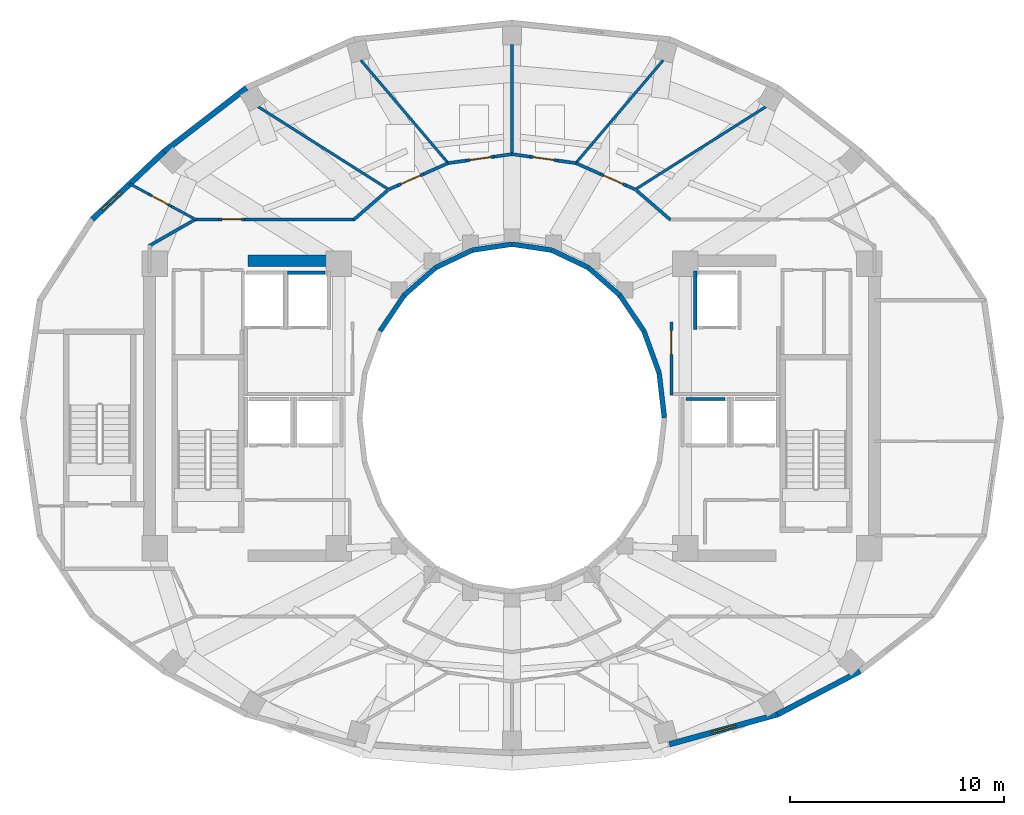
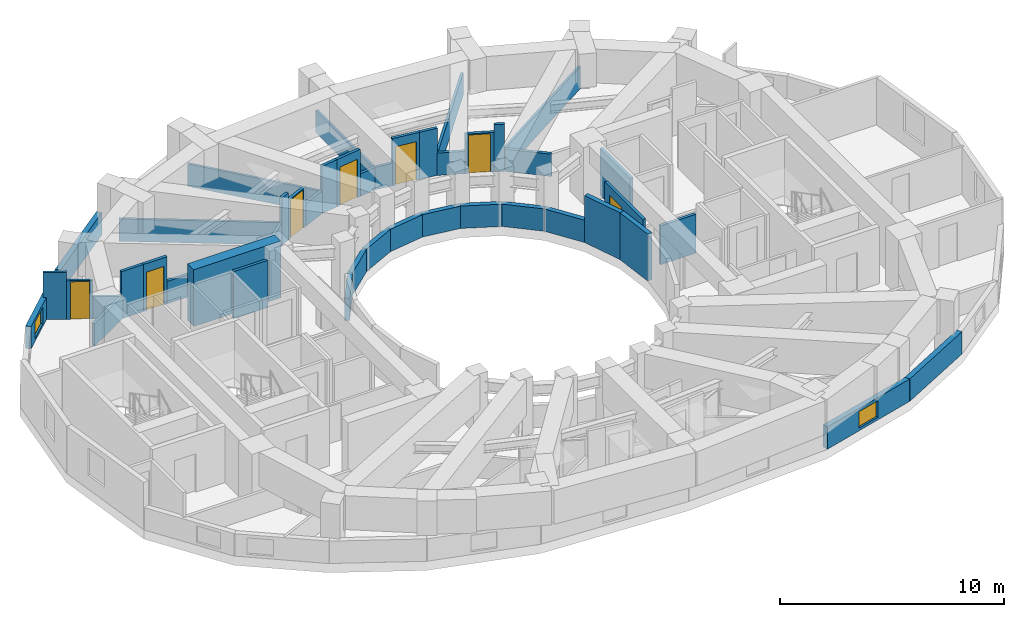
# One storey, part 5 of 9: 45 walls, 7 doors, 2 windows, 9 openings.
"""IFC4 building model written with IfcOpenShell, lengths in metres."""

from ifc_helpers import new_model, si_unit, direction, frame, frame_2d, origin, place, context, subcontext, project, spatial, rectangle, extrude, material, layer, layer_set, type_object, element, fill, save


model = new_model("IFC4")

# Units and contexts
model_context = context("Model", 3, precision=1e-05, world=origin(), true_north=direction((0.0, 1.0)))
body_context = subcontext(model_context, "Body", "Model", "MODEL_VIEW")
ifc_project = project(units=[si_unit("LENGTHUNIT", "METRE"), si_unit("AREAUNIT", "SQUARE_METRE"), si_unit("VOLUMEUNIT", "CUBIC_METRE"), si_unit("PLANEANGLEUNIT", "RADIAN"), si_unit("MASSUNIT", "GRAM", prefix="KILO")], contexts=[model_context])

# Site, building, storey
site_placement = place(None, origin())
site = spatial("IfcSite", under=ifc_project, at=site_placement, CompositionType="ELEMENT")
building_placement = place(site_placement, origin())
building = spatial("IfcBuilding", under=site, at=building_placement, Name="Solvane Sanctuary Tower", CompositionType="ELEMENT")
storey_placement = place(building_placement, frame((0.0, 0.0, 190.10009765625)))
storey = spatial("IfcBuildingStorey", under=building, at=storey_placement, Name="L58", CompositionType="ELEMENT", Elevation=190.10009765625)

# Wall
ifc_material_1 = material(Name="Concrete C50/60", Category="concrete")
ifc_layer_1 = layer(ifc_material_1, 0.550048828125, Name="Concrete C50/60")
ifc_layer_set_1 = layer_set([ifc_layer_1], Name="Concrete C50/60")
wall_type_1 = type_object("IfcWallType", Name="Wall W-CORE-550", PredefinedType="SHEAR", material=ifc_layer_set_1)
wall_1_placement = place(storey_placement, frame((19.64990234375, 30.35009765625, 0.0), z_axis=(0.0, 0.0, 1.0), x_axis=(1.0, 0.0, 0.0)))
element("IfcWall", 1, at=wall_1_placement, inside=storey, type_object=wall_type_1, Name="L58 Core Shear Wall WC-N", PredefinedType="SHEAR", context=body_context, shape_type="SweptSolid", body=[
    extrude(rectangle(XDim=4.5, YDim=0.550048828125, at=frame_2d((2.25, 0.0))), origin(), (0.0, 0.0, 1.0), 3.099853515625),
])

# Wall, opening, door
ifc_material_2 = material(Name="Acoustic Gypsum Partition Board")
ifc_layer_2 = layer(ifc_material_2, 0.14990234375, Name="Acoustic Gypsum Partition Board")
ifc_layer_set_2 = layer_set([ifc_layer_2], Name="Acoustic Gypsum Partition Board")
wall_type_2 = type_object("IfcWallType", Name="Wall W-CORR-150", PredefinedType="PARTITIONING", material=ifc_layer_set_2)
wall_2_placement = place(storey_placement, frame((39.449951171875, 24.080078125, 0.0), z_axis=(0.0, 0.0, 1.0), x_axis=(0.0, 1.0, 0.0)))
wall_2 = element("IfcWall", 2, at=wall_2_placement, inside=storey, type_object=wall_type_2, Name="L58 East Firefighting Lobby West Wall", PredefinedType="PARTITIONING", context=body_context, shape_type="SweptSolid", body=[
    extrude(rectangle(XDim=3.39990234375, YDim=0.14990234375, at=frame_2d((1.699951171875, 0.0))), origin(), (0.0, 0.0, 1.0), 2.574951171875),
])
opening_1_placement = place(wall_2_placement, frame((1.893798828125, 0.0, 0.0)))
opening_1 = element("IfcOpeningElement", 3, at=opening_1_placement, cuts=wall_2, Name="Opening D-L58-05", PredefinedType="OPENING", context=body_context, shape_type="SweptSolid", body=[
    extrude(rectangle(XDim=1.10009765625, YDim=2.10009765625, at=frame_2d((0.550048828125, 1.050048828125))), frame((0.0, 0.0849609375, 0.0), z_axis=(0.0, -1.0, 0.0), x_axis=(1.0, 0.0, 0.0)), (0.0, 0.0, 1.0), 0.169921875),
])
ifc_material_3 = material(Name="Architectural Stainless Steel 316", Category="steel")
door_type_1 = type_object("IfcDoorType", Name="Door D-FFL", OperationType="NOTDEFINED", PredefinedType="DOOR", material=ifc_material_3)
door_1_placement = place(opening_1_placement, origin())
door_1 = element("IfcDoor", 4, at=door_1_placement, inside=storey, type_object=door_type_1, Name="L58 East Firefighting Lobby Fire Door", OperationType="SINGLE_SWING_RIGHT", OverallHeight=2.10009765625, OverallWidth=1.10009765625, PredefinedType="DOOR", context=body_context, shape_type="SweptSolid", body=[
    extrude(rectangle(XDim=1.10009765625, YDim=2.10009765625, at=frame_2d((0.550048828125, 1.050048828125))), frame((0.0, 0.02490234375, 0.0), z_axis=(0.0, -1.0, 0.0), x_axis=(1.0, 0.0, 0.0)), (0.0, 0.0, 1.0), 0.050048828125),
])
fill(opening_1, door_1)

# Walls
for number, where, z_axis, x_axis, name in (
    (5, (37.806640625, 33.64208984375, 0.0), (0.0, 0.0, 1.0), (0.756055312247, -0.654507727092, 0.0), "L58 NE Corner Throat Wall"),
    (6, (26.193359375, 33.64208984375, 0.0), (0.0, 0.0, 1.0), (-0.756055312247, -0.654507727092, 0.0), "L58 NW Corner Throat Wall"),
):
    element("IfcWall", number, at=place(storey_placement, frame(where, z_axis=z_axis, x_axis=x_axis)), inside=storey, type_object=wall_type_2, Name=name, PredefinedType="PARTITIONING", context=body_context, shape_type="SweptSolid", body=[
        extrude(rectangle(XDim=2.11083984375, YDim=0.14990234375, at=frame_2d((1.055419921875, 0.0))), origin(), (0.0, 0.0, 1.0), 1.219970703125),
    ])
wall_3_placement = place(storey_placement, frame((17.14990234375, 32.280029296875, 0.0), z_axis=(0.0, 0.0, 1.0), x_axis=(1.0, 0.0, 0.0)))
element("IfcWall", 7, at=wall_3_placement, inside=storey, type_object=wall_type_2, Name="L58 NW Corner Corridor Wall", PredefinedType="PARTITIONING", context=body_context, shape_type="SweptSolid", body=[
    extrude(rectangle(XDim=1.14013671875, YDim=0.14990234375, at=frame_2d((0.570068359375, 0.0))), origin(), (0.0, 0.0, 1.0), 2.574951171875),
])

# Wall, opening, door
wall_4_placement = place(storey_placement, frame((18.2900390625, 32.280029296875, 0.0), z_axis=(0.0, 0.0, 1.0), x_axis=(1.0, 0.0, 0.0)))
wall_4 = element("IfcWall", 8, at=wall_4_placement, inside=storey, type_object=wall_type_2, Name="L58 NW Corner Corridor Wall", PredefinedType="PARTITIONING", context=body_context, shape_type="SweptSolid", body=[
    extrude(rectangle(XDim=1.219970703125, YDim=0.14990234375, at=frame_2d((0.60986328125, 0.0))), origin(), (0.0, 0.0, 1.0), 2.574951171875),
])
opening_2_placement = place(wall_4_placement, frame((0.159912109375, 0.0, 0.0)))
opening_2 = element("IfcOpeningElement", 9, at=opening_2_placement, cuts=wall_4, Name="Opening D-L58-17", PredefinedType="OPENING", context=body_context, shape_type="SweptSolid", body=[
    extrude(rectangle(XDim=0.89990234375, YDim=2.10009765625, at=frame_2d((0.449951171875, 1.050048828125))), frame((0.0, 0.0849609375, 0.0), z_axis=(0.0, -1.0, 0.0), x_axis=(1.0, 0.0, 0.0)), (0.0, 0.0, 1.0), 0.169921875),
])
ifc_material_4 = material(Name="Engineered Tropical Hardwood", Category="wood")
door_type_2 = type_object("IfcDoorType", Name="Door D-WET-900", OperationType="NOTDEFINED", PredefinedType="DOOR", material=ifc_material_4)
door_2_placement = place(opening_2_placement, origin())
door_2 = element("IfcDoor", 10, at=door_2_placement, inside=storey, type_object=door_type_2, Name="L58 NW Corner Salon Door", OperationType="SINGLE_SWING_RIGHT", OverallHeight=2.10009765625, OverallWidth=0.89990234375, PredefinedType="DOOR", context=body_context, shape_type="SweptSolid", body=[
    extrude(rectangle(XDim=0.89990234375, YDim=2.10009765625, at=frame_2d((0.449951171875, 1.050048828125))), frame((0.0, 0.02490234375, 0.0), z_axis=(0.0, -1.0, 0.0), x_axis=(1.0, 0.0, 0.0)), (0.0, 0.0, 1.0), 0.050048828125),
])
fill(opening_2, door_2)

# Walls
wall_5_placement = place(storey_placement, frame((19.510009765625, 32.280029296875, 0.0), z_axis=(0.0, 0.0, 1.0), x_axis=(1.0, 0.0, 0.0)))
element("IfcWall", 11, at=wall_5_placement, inside=storey, type_object=wall_type_2, Name="L58 NW Corner Corridor Wall", PredefinedType="PARTITIONING", context=body_context, shape_type="SweptSolid", body=[
    extrude(rectangle(XDim=5.159912109375, YDim=0.14990234375, at=frame_2d((2.580078125, 0.0))), origin(), (0.0, 0.0, 1.0), 1.219970703125),
])
wall_6_placement = place(storey_placement, frame((17.243408203125, 32.3046875, 0.0), z_axis=(0.0, 0.0, 1.0), x_axis=(-0.867991349648, -0.496579315857, 0.0)))
element("IfcWall", 12, at=wall_6_placement, inside=storey, type_object=wall_type_2, Name="L58 NW Corner Wing Wall", PredefinedType="PARTITIONING", context=body_context, shape_type="SweptSolid", body=[
    extrude(rectangle(XDim=2.56689453125, YDim=0.14990234375, at=frame_2d((1.283447265625, 0.0))), origin(), (0.0, 0.0, 1.0), 1.219970703125),
])
wall_7_placement = place(storey_placement, frame((37.77197265625, 33.673828125, 0.0), z_axis=(0.0, 0.0, 1.0), x_axis=(-0.914387769504, 0.404839482983, 0.0)))
element("IfcWall", 13, at=wall_7_placement, inside=storey, type_object=wall_type_2, Name="L58 Unit Corridor Wall N1", PredefinedType="PARTITIONING", context=body_context, shape_type="SweptSolid", body=[
    extrude(rectangle(XDim=0.470947265625, YDim=0.14990234375, at=frame_2d((0.2353515625, 0.0))), origin(), (0.0, 0.0, 1.0), 2.574951171875),
])

# Wall, opening, door
wall_8_placement = place(storey_placement, frame((37.34130859375, 33.864501953125, 0.0), z_axis=(0.0, 0.0, 1.0), x_axis=(-0.914314172667, 0.405005671145, 0.0)))
wall_8 = element("IfcWall", 14, at=wall_8_placement, inside=storey, type_object=wall_type_2, Name="L58 Unit Corridor Wall N1", PredefinedType="PARTITIONING", context=body_context, shape_type="SweptSolid", body=[
    extrude(rectangle(XDim=1.320068359375, YDim=0.14990234375, at=frame_2d((0.66015625, 0.0))), origin(), (0.0, 0.0, 1.0), 2.159912109375),
])
opening_3_placement = place(wall_8_placement, frame((0.159912109375, 0.0, 0.0)))
opening_3 = element("IfcOpeningElement", 15, at=opening_3_placement, cuts=wall_8, Name="Opening D-L58-23", PredefinedType="OPENING", context=body_context, shape_type="SweptSolid", body=[
    extrude(rectangle(XDim=1.0, YDim=2.10009765625, at=frame_2d((0.5, 1.050048828125))), frame((0.0, 0.0849609375, 0.0), z_axis=(0.0, -1.0, 0.0), x_axis=(1.0, 0.0, 0.0)), (0.0, 0.0, 1.0), 0.169921875),
])
door_type_3 = type_object("IfcDoorType", Name="Door D-UNIT", OperationType="NOTDEFINED", PredefinedType="DOOR", material=ifc_material_4)
door_3_placement = place(opening_3_placement, origin())
door_3 = element("IfcDoor", 16, at=door_3_placement, inside=storey, type_object=door_type_3, Name="L58 Unit Entrance Door N1", OperationType="SINGLE_SWING_RIGHT", OverallHeight=2.10009765625, OverallWidth=1.0, PredefinedType="DOOR", context=body_context, shape_type="SweptSolid", body=[
    extrude(rectangle(XDim=1.0, YDim=2.10009765625, at=frame_2d((0.5, 1.050048828125))), frame((0.0, 0.02490234375, 0.0), z_axis=(0.0, -1.0, 0.0), x_axis=(1.0, 0.0, 0.0)), (0.0, 0.0, 1.0), 0.050048828125),
])
fill(opening_3, door_3)

# Walls
wall_9_placement = place(storey_placement, frame((36.13427734375, 34.399169921875, 0.0), z_axis=(0.0, 0.0, 1.0), x_axis=(-0.914311660367, 0.405011342701, 0.0)))
element("IfcWall", 17, at=wall_9_placement, inside=storey, type_object=wall_type_2, Name="L58 Unit Corridor Wall N1", PredefinedType="PARTITIONING", context=body_context, shape_type="SweptSolid", body=[
    extrude(rectangle(XDim=1.2666015625, YDim=0.14990234375, at=frame_2d((0.63330078125, 0.0))), origin(), (0.0, 0.0, 1.0), 1.219970703125),
])
wall_10_placement = place(storey_placement, frame((34.991943359375, 34.90771484375, 0.0), z_axis=(0.0, 0.0, 1.0), x_axis=(-0.990238723834, 0.139381741342, 0.0)))
element("IfcWall", 18, at=wall_10_placement, inside=storey, type_object=wall_type_2, Name="L58 Unit Corridor Wall N2", PredefinedType="PARTITIONING", context=body_context, shape_type="SweptSolid", body=[
    extrude(rectangle(XDim=0.854736328125, YDim=0.14990234375, at=frame_2d((0.42724609375, 0.0))), origin(), (0.0, 0.0, 1.0), 2.574951171875),
])

# Wall, opening, door
wall_11_placement = place(storey_placement, frame((34.1455078125, 35.02685546875, 0.0), z_axis=(0.0, 0.0, 1.0), x_axis=(-0.990254187593, 0.139271834751, 0.0)))
wall_11 = element("IfcWall", 19, at=wall_11_placement, inside=storey, type_object=wall_type_2, Name="L58 Unit Corridor Wall N2", PredefinedType="PARTITIONING", context=body_context, shape_type="SweptSolid", body=[
    extrude(rectangle(XDim=1.320068359375, YDim=0.14990234375, at=frame_2d((0.66015625, 0.0))), origin(), (0.0, 0.0, 1.0), 2.574951171875),
])
opening_4_placement = place(wall_11_placement, frame((0.159912109375, 0.0, 0.0)))
opening_4 = element("IfcOpeningElement", 20, at=opening_4_placement, cuts=wall_11, Name="Opening D-L58-24", PredefinedType="OPENING", context=body_context, shape_type="SweptSolid", body=[
    extrude(rectangle(XDim=1.0, YDim=2.10009765625, at=frame_2d((0.5, 1.050048828125))), frame((0.0, 0.0849609375, 0.0), z_axis=(0.0, -1.0, 0.0), x_axis=(1.0, 0.0, 0.0)), (0.0, 0.0, 1.0), 0.169921875),
])
door_4_placement = place(opening_4_placement, origin())
door_4 = element("IfcDoor", 21, at=door_4_placement, inside=storey, type_object=door_type_3, Name="L58 Unit Entrance Door N2", OperationType="SINGLE_SWING_LEFT", OverallHeight=2.10009765625, OverallWidth=1.0, PredefinedType="DOOR", context=body_context, shape_type="SweptSolid", body=[
    extrude(rectangle(XDim=1.0, YDim=2.10009765625, at=frame_2d((0.5, 1.050048828125))), frame((0.0, 0.02490234375, 0.0), z_axis=(0.0, -1.0, 0.0), x_axis=(1.0, 0.0, 0.0)), (0.0, 0.0, 1.0), 0.050048828125),
])
fill(opening_4, door_4)

# Walls
for number, where, z_axis, x_axis, name in (
    (22, (32.83837890625, 35.210693359375, 0.0), (0.0, 0.0, 1.0), (-0.990199264419, 0.139661794145, 0.0), "L58 Unit Corridor Wall N2"),
    (23, (32.008056640625, 35.330078125, 0.0), (0.0, 0.0, 1.0), (-0.990199264419, -0.139661794145, 0.0), "L58 Unit Corridor Wall N3"),
):
    element("IfcWall", number, at=place(storey_placement, frame(where, z_axis=z_axis, x_axis=x_axis)), inside=storey, type_object=wall_type_2, Name=name, PredefinedType="PARTITIONING", context=body_context, shape_type="SweptSolid", body=[
        extrude(rectangle(XDim=0.854736328125, YDim=0.14990234375, at=frame_2d((0.42724609375, 0.0))), origin(), (0.0, 0.0, 1.0), 1.219970703125),
    ])

# Wall, opening, door
wall_12_placement = place(storey_placement, frame((31.16162109375, 35.210693359375, 0.0), z_axis=(0.0, 0.0, 1.0), x_axis=(-0.990254187593, -0.139271834751, 0.0)))
wall_12 = element("IfcWall", 24, at=wall_12_placement, inside=storey, type_object=wall_type_2, Name="L58 Unit Corridor Wall N3", PredefinedType="PARTITIONING", context=body_context, shape_type="SweptSolid", body=[
    extrude(rectangle(XDim=1.320068359375, YDim=0.14990234375, at=frame_2d((0.66015625, 0.0))), origin(), (0.0, 0.0, 1.0), 2.574951171875),
])
opening_5_placement = place(wall_12_placement, frame((0.159912109375, 0.0, 0.0)))
opening_5 = element("IfcOpeningElement", 25, at=opening_5_placement, cuts=wall_12, Name="Opening D-L58-25", PredefinedType="OPENING", context=body_context, shape_type="SweptSolid", body=[
    extrude(rectangle(XDim=1.0, YDim=2.10009765625, at=frame_2d((0.5, 1.050048828125))), frame((0.0, 0.0849609375, 0.0), z_axis=(0.0, -1.0, 0.0), x_axis=(1.0, 0.0, 0.0)), (0.0, 0.0, 1.0), 0.169921875),
])
door_5_placement = place(opening_5_placement, origin())
door_5 = element("IfcDoor", 26, at=door_5_placement, inside=storey, type_object=door_type_3, Name="L58 Unit Entrance Door N3", OperationType="SINGLE_SWING_RIGHT", OverallHeight=2.10009765625, OverallWidth=1.0, PredefinedType="DOOR", context=body_context, shape_type="SweptSolid", body=[
    extrude(rectangle(XDim=1.0, YDim=2.10009765625, at=frame_2d((0.5, 1.050048828125))), frame((0.0, 0.02490234375, 0.0), z_axis=(0.0, -1.0, 0.0), x_axis=(1.0, 0.0, 0.0)), (0.0, 0.0, 1.0), 0.050048828125),
])
fill(opening_5, door_5)

# Walls
wall_13_placement = place(storey_placement, frame((29.8544921875, 35.02685546875, 0.0), z_axis=(0.0, 0.0, 1.0), x_axis=(-0.990238723834, -0.139381741342, 0.0)))
element("IfcWall", 27, at=wall_13_placement, inside=storey, type_object=wall_type_2, Name="L58 Unit Corridor Wall N3", PredefinedType="PARTITIONING", context=body_context, shape_type="SweptSolid", body=[
    extrude(rectangle(XDim=0.854736328125, YDim=0.14990234375, at=frame_2d((0.42724609375, 0.0))), origin(), (0.0, 0.0, 1.0), 2.574951171875),
])
wall_14_placement = place(storey_placement, frame((29.023681640625, 34.912109375, 0.0), z_axis=(0.0, 0.0, 1.0), x_axis=(-0.914311660367, -0.405011342701, 0.0)))
element("IfcWall", 28, at=wall_14_placement, inside=storey, type_object=wall_type_2, Name="L58 Unit Corridor Wall N4", PredefinedType="PARTITIONING", context=body_context, shape_type="SweptSolid", body=[
    extrude(rectangle(XDim=1.2666015625, YDim=0.14990234375, at=frame_2d((0.63330078125, 0.0))), origin(), (0.0, 0.0, 1.0), 1.219970703125),
])

# Wall, opening, door
wall_15_placement = place(storey_placement, frame((27.86572265625, 34.399169921875, 0.0), z_axis=(0.0, 0.0, 1.0), x_axis=(-0.914314172667, -0.405005671145, 0.0)))
wall_15 = element("IfcWall", 29, at=wall_15_placement, inside=storey, type_object=wall_type_2, Name="L58 Unit Corridor Wall N4", PredefinedType="PARTITIONING", context=body_context, shape_type="SweptSolid", body=[
    extrude(rectangle(XDim=1.320068359375, YDim=0.14990234375, at=frame_2d((0.66015625, 0.0))), origin(), (0.0, 0.0, 1.0), 2.159912109375),
])
opening_6_placement = place(wall_15_placement, frame((0.159912109375, 0.0, 0.0)))
opening_6 = element("IfcOpeningElement", 30, at=opening_6_placement, cuts=wall_15, Name="Opening D-L58-26", PredefinedType="OPENING", context=body_context, shape_type="SweptSolid", body=[
    extrude(rectangle(XDim=1.0, YDim=2.10009765625, at=frame_2d((0.5, 1.050048828125))), frame((0.0, 0.0849609375, 0.0), z_axis=(0.0, -1.0, 0.0), x_axis=(1.0, 0.0, 0.0)), (0.0, 0.0, 1.0), 0.169921875),
])
door_6_placement = place(opening_6_placement, origin())
door_6 = element("IfcDoor", 31, at=door_6_placement, inside=storey, type_object=door_type_3, Name="L58 Unit Entrance Door N4", OperationType="SINGLE_SWING_LEFT", OverallHeight=2.10009765625, OverallWidth=1.0, PredefinedType="DOOR", context=body_context, shape_type="SweptSolid", body=[
    extrude(rectangle(XDim=1.0, YDim=2.10009765625, at=frame_2d((0.5, 1.050048828125))), frame((0.0, 0.02490234375, 0.0), z_axis=(0.0, -1.0, 0.0), x_axis=(1.0, 0.0, 0.0)), (0.0, 0.0, 1.0), 0.050048828125),
])
fill(opening_6, door_6)

# Walls
wall_16_placement = place(storey_placement, frame((26.65869140625, 33.864501953125, 0.0), z_axis=(0.0, 0.0, 1.0), x_axis=(-0.914387769504, -0.404839482983, 0.0)))
element("IfcWall", 32, at=wall_16_placement, inside=storey, type_object=wall_type_2, Name="L58 Unit Corridor Wall N4", PredefinedType="PARTITIONING", context=body_context, shape_type="SweptSolid", body=[
    extrude(rectangle(XDim=0.470947265625, YDim=0.14990234375, at=frame_2d((0.2353515625, 0.0))), origin(), (0.0, 0.0, 1.0), 2.574951171875),
])
ifc_material_5 = material(Name="Precast concrete C40/50", Category="concrete")
ifc_layer_3 = layer(ifc_material_5, 0.260009765625, Name="Precast concrete C40/50")
ifc_layer_set_3 = layer_set([ifc_layer_3], Name="Precast concrete C40/50")
wall_type_3 = type_object("IfcWallType", Name="Wall W-EXT-250", PredefinedType="STANDARD", material=ifc_layer_set_3)
wall_17_placement = place(storey_placement, frame((19.5869140625, 38.41943359375, 0.0), z_axis=(0.0, 0.0, 1.0), x_axis=(-0.791460185804, -0.611220724687, 0.0)))
element("IfcWall", 33, at=wall_17_placement, inside=storey, type_object=wall_type_3, Name="L58 Ceramic-Printed Facade Wall 08", PredefinedType="STANDARD", context=body_context, shape_type="SweptSolid", body=[
    extrude(rectangle(XDim=4.872314453125, YDim=0.260009765625, at=frame_2d((2.43603515625, 0.0))), origin(), (0.0, 0.0, 1.0), 1.219970703125),
])

# Wall, opening, window
wall_18_placement = place(storey_placement, frame((15.730712890625, 35.44140625, 0.0), z_axis=(0.0, 0.0, 1.0), x_axis=(-0.727667301037, -0.68593024354, 0.0)))
wall_18 = element("IfcWall", 34, at=wall_18_placement, inside=storey, type_object=wall_type_3, Name="L58 Ceramic-Printed Facade Wall 09", PredefinedType="STANDARD", context=body_context, shape_type="SweptSolid", body=[
    extrude(rectangle(XDim=4.603515625, YDim=0.260009765625, at=frame_2d((2.3017578125, 0.0))), origin(), (0.0, 0.0, 1.0), 1.219970703125),
])
opening_7_placement = place(wall_18_placement, frame((2.772216796875, 0.0, 0.14990234375)))
opening_7 = element("IfcOpeningElement", 35, at=opening_7_placement, cuts=wall_18, Name="Opening WN-OPER-1200", PredefinedType="OPENING", context=body_context, shape_type="SweptSolid", body=[
    extrude(rectangle(XDim=1.199951171875, YDim=0.89990234375, at=frame_2d((0.60009765625, 0.449951171875))), frame((0.0, 0.139892578125, 0.0), z_axis=(0.0, -1.0, 0.0), x_axis=(1.0, 0.0, 0.0)), (0.0, 0.0, 1.0), 0.280029296875),
])
ifc_material_6 = material(Name="Dark Ceramic-Fritted Low-E Glass", Category="glass")
window_type = type_object("IfcWindowType", Name="Window WN-OPER-1200", PartitioningType="SINGLE_PANEL", PredefinedType="WINDOW", material=ifc_material_6)
window_1_placement = place(opening_7_placement, origin())
window_1 = element("IfcWindow", 36, at=window_1_placement, inside=storey, type_object=window_type, Name="L58 Operable Facade Window 09", OverallHeight=0.89990234375, OverallWidth=1.199951171875, PartitioningType="SINGLE_PANEL", PredefinedType="WINDOW", context=body_context, shape_type="SweptSolid", body=[
    extrude(rectangle(XDim=1.199951171875, YDim=0.89990234375, at=frame_2d((0.60009765625, 0.449951171875))), frame((0.0, 0.030029296875, 0.0), z_axis=(0.0, -1.0, 0.0), x_axis=(1.0, 0.0, 0.0)), (0.0, 0.0, 1.0), 0.06005859375),
])
fill(opening_7, window_1)

wall_19_placement = place(storey_placement, frame((39.365234375, 7.743408203125, 0.0), z_axis=(0.0, 0.0, 1.0), x_axis=(0.963953455704, 0.26607092144, 0.0)))
wall_19 = element("IfcWall", 37, at=wall_19_placement, inside=storey, type_object=wall_type_3, Name="L58 Ceramic-Printed Facade Wall 19", PredefinedType="STANDARD", context=body_context, shape_type="SweptSolid", body=[
    extrude(rectangle(XDim=5.236572265625, YDim=0.260009765625, at=frame_2d((2.6181640625, 0.0))), origin(), (0.0, 0.0, 1.0), 1.219970703125),
])
opening_8_placement = place(wall_19_placement, frame((2.018310546875, 0.0, 0.14990234375)))
opening_8 = element("IfcOpeningElement", 38, at=opening_8_placement, cuts=wall_19, Name="Opening WN-OPER-1200", PredefinedType="OPENING", context=body_context, shape_type="SweptSolid", body=[
    extrude(rectangle(XDim=1.199951171875, YDim=0.89990234375, at=frame_2d((0.60009765625, 0.449951171875))), frame((0.0, 0.139892578125, 0.0), z_axis=(0.0, -1.0, 0.0), x_axis=(1.0, 0.0, 0.0)), (0.0, 0.0, 1.0), 0.280029296875),
])
window_2_placement = place(opening_8_placement, origin())
window_2 = element("IfcWindow", 39, at=window_2_placement, inside=storey, type_object=window_type, Name="L58 Operable Facade Window 19", OverallHeight=0.89990234375, OverallWidth=1.199951171875, PartitioningType="SINGLE_PANEL", PredefinedType="WINDOW", context=body_context, shape_type="SweptSolid", body=[
    extrude(rectangle(XDim=1.199951171875, YDim=0.89990234375, at=frame_2d((0.60009765625, 0.449951171875))), frame((0.0, 0.030029296875, 0.0), z_axis=(0.0, -1.0, 0.0), x_axis=(1.0, 0.0, 0.0)), (0.0, 0.0, 1.0), 0.06005859375),
])
fill(opening_8, window_2)

# Walls
wall_20_placement = place(storey_placement, frame((44.4130859375, 9.13671875, 0.0), z_axis=(0.0, 0.0, 1.0), x_axis=(0.885660265226, 0.464333818065, 0.0)))
element("IfcWall", 40, at=wall_20_placement, inside=storey, type_object=wall_type_3, Name="L58 Ceramic-Printed Facade Wall 20", PredefinedType="STANDARD", context=body_context, shape_type="SweptSolid", body=[
    extrude(rectangle(XDim=4.35400390625, YDim=0.260009765625, at=frame_2d((2.177001953125, 0.0))), origin(), (0.0, 0.0, 1.0), 1.219970703125),
])
ifc_layer_4 = layer(ifc_material_5, 0.22998046875, Name="Precast concrete C40/50")
ifc_layer_set_4 = layer_set([ifc_layer_4], Name="Precast concrete C40/50")
wall_type_4 = type_object("IfcWallType", Name="Wall W-EXT-SP220", PredefinedType="STANDARD", material=ifc_layer_set_4)
wall_21_placement = place(storey_placement, frame((39.1201171875, 23.0, 0.0), z_axis=(0.0, 0.0, 1.0), x_axis=(-0.114711713601, 0.993398823617, 0.0)))
element("IfcWall", 41, at=wall_21_placement, inside=storey, type_object=wall_type_4, Name="L58 Central Light-Well Wall 00", PredefinedType="STANDARD", context=body_context, shape_type="SweptSolid", body=[
    extrude(rectangle(XDim=2.115478515625, YDim=0.22998046875, at=frame_2d((1.0576171875, 0.0))), origin(), (0.0, 0.0, 1.0), 2.559814453125),
])
wall_22_placement = place(storey_placement, frame((38.87744140625, 25.1015625, 0.0), z_axis=(0.0, 0.0, 1.0), x_axis=(-0.341423187295, 0.93990968033, 0.0)))
element("IfcWall", 42, at=wall_22_placement, inside=storey, type_object=wall_type_4, Name="L58 Central Light-Well Wall 01", PredefinedType="STANDARD", context=body_context, shape_type="SweptSolid", body=[
    extrude(rectangle(XDim=2.083740234375, YDim=0.22998046875, at=frame_2d((1.0419921875, 0.0))), origin(), (0.0, 0.0, 1.0), 2.559814453125),
])
wall_23_placement = place(storey_placement, frame((38.166015625, 27.06005859375, 0.0), z_axis=(0.0, 0.0, 1.0), x_axis=(-0.558197800898, 0.829707909492, 0.0)))
element("IfcWall", 43, at=wall_23_placement, inside=storey, type_object=wall_type_4, Name="L58 Central Light-Well Wall 02", PredefinedType="STANDARD", context=body_context, shape_type="SweptSolid", body=[
    extrude(rectangle(XDim=2.02685546875, YDim=0.22998046875, at=frame_2d((1.013427734375, 0.0))), origin(), (0.0, 0.0, 1.0), 1.219970703125),
])
wall_24_placement = place(storey_placement, frame((37.03466796875, 28.74169921875, 0.0), z_axis=(0.0, 0.0, 1.0), x_axis=(-0.752576694707, 0.658504607869, 0.0)))
element("IfcWall", 44, at=wall_24_placement, inside=storey, type_object=wall_type_4, Name="L58 Central Light-Well Wall 03", PredefinedType="STANDARD", context=body_context, shape_type="SweptSolid", body=[
    extrude(rectangle(XDim=1.95947265625, YDim=0.22998046875, at=frame_2d((0.979736328125, 0.0))), origin(), (0.0, 0.0, 1.0), 1.219970703125),
])
wall_25_placement = place(storey_placement, frame((35.56005859375, 30.031982421875, 0.0), z_axis=(0.0, 0.0, 1.0), x_axis=(-0.904179699603, 0.427152280606, 0.0)))
element("IfcWall", 45, at=wall_25_placement, inside=storey, type_object=wall_type_4, Name="L58 Central Light-Well Wall 04", PredefinedType="STANDARD", context=body_context, shape_type="SweptSolid", body=[
    extrude(rectangle(XDim=1.899169921875, YDim=0.22998046875, at=frame_2d((0.94970703125, 0.0))), origin(), (0.0, 0.0, 1.0), 1.219970703125),
])
for number, where, z_axis, x_axis, name in (
    (46, (33.8427734375, 30.84326171875, 0.0), (0.0, 0.0, 1.0), (-0.988901730308, 0.148571086668, 0.0), "L58 Central Light-Well Wall 05"),
    (47, (32.0, 31.1201171875, 0.0), (0.0, 0.0, 1.0), (-0.988901730308, -0.148571086668, 0.0), "L58 Central Light-Well Wall 06"),
):
    element("IfcWall", number, at=place(storey_placement, frame(where, z_axis=z_axis, x_axis=x_axis)), inside=storey, type_object=wall_type_4, Name=name, PredefinedType="STANDARD", context=body_context, shape_type="SweptSolid", body=[
        extrude(rectangle(XDim=1.863525390625, YDim=0.22998046875, at=frame_2d((0.931640625, 0.0))), origin(), (0.0, 0.0, 1.0), 1.219970703125),
    ])
wall_26_placement = place(storey_placement, frame((30.1572265625, 30.84326171875, 0.0), z_axis=(0.0, 0.0, 1.0), x_axis=(-0.904179699603, -0.427152280606, 0.0)))
element("IfcWall", 48, at=wall_26_placement, inside=storey, type_object=wall_type_4, Name="L58 Central Light-Well Wall 07", PredefinedType="STANDARD", context=body_context, shape_type="SweptSolid", body=[
    extrude(rectangle(XDim=1.899169921875, YDim=0.22998046875, at=frame_2d((0.94970703125, 0.0))), origin(), (0.0, 0.0, 1.0), 1.219970703125),
])
wall_27_placement = place(storey_placement, frame((28.43994140625, 30.031982421875, 0.0), z_axis=(0.0, 0.0, 1.0), x_axis=(-0.752576694707, -0.658504607869, 0.0)))
element("IfcWall", 49, at=wall_27_placement, inside=storey, type_object=wall_type_4, Name="L58 Central Light-Well Wall 08", PredefinedType="STANDARD", context=body_context, shape_type="SweptSolid", body=[
    extrude(rectangle(XDim=1.95947265625, YDim=0.22998046875, at=frame_2d((0.979736328125, 0.0))), origin(), (0.0, 0.0, 1.0), 1.219970703125),
])
wall_28_placement = place(storey_placement, frame((26.96533203125, 28.74169921875, 0.0), z_axis=(0.0, 0.0, 1.0), x_axis=(-0.558197800898, -0.829707909492, 0.0)))
element("IfcWall", 50, at=wall_28_placement, inside=storey, type_object=wall_type_4, Name="L58 Central Light-Well Wall 09", PredefinedType="STANDARD", context=body_context, shape_type="SweptSolid", body=[
    extrude(rectangle(XDim=2.02685546875, YDim=0.22998046875, at=frame_2d((1.013427734375, 0.0))), origin(), (0.0, 0.0, 1.0), 1.219970703125),
])
ifc_layer_5 = layer(ifc_material_2, 0.1201171875, Name="Acoustic Gypsum Partition Board")
ifc_layer_set_5 = layer_set([ifc_layer_5], Name="Acoustic Gypsum Partition Board")
wall_type_5 = type_object("IfcWallType", Name="Wall W-MOV-100", PredefinedType="MOVABLE", material=ifc_layer_set_5)
wall_29_placement = place(storey_placement, frame((17.243896484375, 32.256103515625, 0.0), z_axis=(0.0, 0.0, 1.0), x_axis=(-0.879396983738, 0.476089219572, 0.0)))
element("IfcWall", 51, at=wall_29_placement, inside=storey, type_object=wall_type_5, Name="L58 NW Corner Suite Partition", PredefinedType="MOVABLE", context=body_context, shape_type="SweptSolid", body=[
    extrude(rectangle(XDim=1.33837890625, YDim=0.1201171875, at=frame_2d((0.669189453125, 0.0))), origin(), (0.0, 0.0, 1.0), 1.219970703125),
])

# Wall, opening, door
wall_30_placement = place(storey_placement, frame((16.06689453125, 32.893310546875, 0.0), z_axis=(0.0, 0.0, 1.0), x_axis=(-0.879342939039, 0.476189033433, 0.0)))
wall_30 = element("IfcWall", 52, at=wall_30_placement, inside=storey, type_object=wall_type_5, Name="L58 NW Corner Suite Partition", PredefinedType="MOVABLE", context=body_context, shape_type="SweptSolid", body=[
    extrude(rectangle(XDim=1.169921875, YDim=0.1201171875, at=frame_2d((0.5849609375, 0.0))), origin(), (0.0, 0.0, 1.0), 2.10986328125),
])
opening_9_placement = place(wall_30_placement, frame((0.159912109375, 0.0, 0.0)))
opening_9 = element("IfcOpeningElement", 53, at=opening_9_placement, cuts=wall_30, Name="Opening D-L58-16", PredefinedType="OPENING", context=body_context, shape_type="SweptSolid", body=[
    extrude(rectangle(XDim=0.85009765625, YDim=2.050048828125, at=frame_2d((0.425048828125, 1.02490234375))), frame((0.0, 0.070068359375, 0.0), z_axis=(0.0, -1.0, 0.0), x_axis=(1.0, 0.0, 0.0)), (0.0, 0.0, 1.0), 0.14013671875),
])
door_type_4 = type_object("IfcDoorType", Name="Door D-RISER", OperationType="NOTDEFINED", PredefinedType="DOOR", material=ifc_material_3)
door_7_placement = place(opening_9_placement, origin())
door_7 = element("IfcDoor", 54, at=door_7_placement, inside=storey, type_object=door_type_4, Name="L58 NW Corner Suite Door", OperationType="SINGLE_SWING_LEFT", OverallHeight=2.050048828125, OverallWidth=0.85009765625, PredefinedType="DOOR", context=body_context, shape_type="SweptSolid", body=[
    extrude(rectangle(XDim=0.85009765625, YDim=2.050048828125, at=frame_2d((0.425048828125, 1.02490234375))), frame((0.0, 0.02490234375, 0.0), z_axis=(0.0, -1.0, 0.0), x_axis=(1.0, 0.0, 0.0)), (0.0, 0.0, 1.0), 0.050048828125),
])
fill(opening_9, door_7)

# Walls
wall_31_placement = place(storey_placement, frame((15.0380859375, 33.450439453125, 0.0), z_axis=(0.0, 0.0, 1.0), x_axis=(-0.879417553007, 0.476051223571, 0.0)))
element("IfcWall", 55, at=wall_31_placement, inside=storey, type_object=wall_type_5, Name="L58 NW Corner Suite Partition", PredefinedType="MOVABLE", context=body_context, shape_type="SweptSolid", body=[
    extrude(rectangle(XDim=1.05126953125, YDim=0.1201171875, at=frame_2d((0.525634765625, 0.0))), origin(), (0.0, 0.0, 1.0), 2.574951171875),
])
ifc_layer_6 = layer(ifc_material_2, 0.125, Name="Acoustic Gypsum Partition Board")
ifc_layer_set_6 = layer_set([ifc_layer_6], Name="Acoustic Gypsum Partition Board")
wall_type_6 = type_object("IfcWallType", Name="Wall W-PART-125", PredefinedType="PARTITIONING", material=ifc_layer_set_6)
wall_32_placement = place(storey_placement, frame((37.8115234375, 33.70751953125, 0.0), z_axis=(0.0, 0.0, 1.0), x_axis=(0.844640430122, 0.535334048799, 0.0)))
element("IfcWall", 56, at=wall_32_placement, inside=storey, type_object=wall_type_6, Name="L58 Radial Compartment Wall 060", PredefinedType="PARTITIONING", context=body_context, shape_type="SweptSolid", body=[
    extrude(rectangle(XDim=7.188232421875, YDim=0.125, at=frame_2d((3.59423828125, 0.0))), origin(), (0.0, 0.0, 1.0), 1.219970703125),
])
wall_33_placement = place(storey_placement, frame((35.019775390625, 34.951904296875, 0.0), z_axis=(0.0, 0.0, 1.0), x_axis=(0.647173462792, 0.762342776615, 0.0)))
element("IfcWall", 57, at=wall_33_placement, inside=storey, type_object=wall_type_6, Name="L58 Radial Compartment Wall 075", PredefinedType="PARTITIONING", context=body_context, shape_type="SweptSolid", body=[
    extrude(rectangle(XDim=6.25341796875, YDim=0.125, at=frame_2d((3.126708984375, 0.0))), origin(), (0.0, 0.0, 1.0), 1.219970703125),
])
wall_34_placement = place(storey_placement, frame((32.0, 35.385009765625, 0.0), z_axis=(0.0, 0.0, 1.0), x_axis=(0.0, 1.0, 0.0)))
element("IfcWall", 58, at=wall_34_placement, inside=storey, type_object=wall_type_6, Name="L58 Radial Compartment Wall 090", PredefinedType="PARTITIONING", context=body_context, shape_type="SweptSolid", body=[
    extrude(rectangle(XDim=5.06494140625, YDim=0.125, at=frame_2d((2.532470703125, 0.0))), origin(), (0.0, 0.0, 1.0), 1.219970703125),
])
wall_35_placement = place(storey_placement, frame((28.980224609375, 34.951904296875, 0.0), z_axis=(0.0, 0.0, 1.0), x_axis=(-0.647173462792, 0.762342776615, 0.0)))
element("IfcWall", 59, at=wall_35_placement, inside=storey, type_object=wall_type_6, Name="L58 Radial Compartment Wall 105", PredefinedType="PARTITIONING", context=body_context, shape_type="SweptSolid", body=[
    extrude(rectangle(XDim=6.25341796875, YDim=0.125, at=frame_2d((3.126708984375, 0.0))), origin(), (0.0, 0.0, 1.0), 1.219970703125),
])
wall_36_placement = place(storey_placement, frame((26.1884765625, 33.70751953125, 0.0), z_axis=(0.0, 0.0, 1.0), x_axis=(-0.844640430122, 0.535334048799, 0.0)))
element("IfcWall", 60, at=wall_36_placement, inside=storey, type_object=wall_type_6, Name="L58 Radial Compartment Wall 120", PredefinedType="PARTITIONING", context=body_context, shape_type="SweptSolid", body=[
    extrude(rectangle(XDim=7.188232421875, YDim=0.125, at=frame_2d((3.59423828125, 0.0))), origin(), (0.0, 0.0, 1.0), 1.219970703125),
])
ifc_layer_7 = layer(ifc_material_1, 0.14990234375, Name="Concrete C50/60")
ifc_layer_set_7 = layer_set([ifc_layer_7], Name="Concrete C50/60")
wall_type_7 = type_object("IfcWallType", Name="Wall W-SHAFT-150", PredefinedType="SOLIDWALL", material=ifc_layer_set_7)
wall_37_placement = place(storey_placement, frame((40.139892578125, 23.8798828125, 0.0), z_axis=(0.0, 0.0, 1.0), x_axis=(1.0, 0.0, 0.0)))
element("IfcWall", 61, at=wall_37_placement, inside=storey, type_object=wall_type_7, Name="L58 PH-2 Lift Shaft Wall B", PredefinedType="SOLIDWALL", context=body_context, shape_type="SweptSolid", body=[
    extrude(rectangle(XDim=1.820068359375, YDim=0.14990234375, at=frame_2d((0.91015625, 0.0))), origin(), (0.0, 0.0, 1.0), 2.119873046875),
])
wall_38_placement = place(storey_placement, frame((21.5, 29.780029296875, 0.0), z_axis=(0.0, 0.0, 1.0), x_axis=(1.0, 0.0, 0.0)))
element("IfcWall", 62, at=wall_38_placement, inside=storey, type_object=wall_type_7, Name="L58 SVL-1 Lift Shaft Wall B", PredefinedType="SOLIDWALL", context=body_context, shape_type="SweptSolid", body=[
    extrude(rectangle(XDim=1.760009765625, YDim=0.14990234375, at=frame_2d((0.8798828125, 0.0))), origin(), (0.0, 0.0, 1.0), 2.574951171875),
])
wall_39_placement = place(storey_placement, frame((40.570068359375, 27.139892578125, 0.0), z_axis=(0.0, 0.0, 1.0), x_axis=(0.0, 1.0, 0.0)))
element("IfcWall", 63, at=wall_39_placement, inside=storey, type_object=wall_type_7, Name="L58 FFL-2 Lift Shaft Wall S1", PredefinedType="SOLIDWALL", context=body_context, shape_type="SweptSolid", body=[
    extrude(rectangle(XDim=2.72021484375, YDim=0.14990234375, at=frame_2d((1.360107421875, 0.0))), origin(), (0.0, 0.0, 1.0), 2.574951171875),
])

save(model, "model.ifc")
